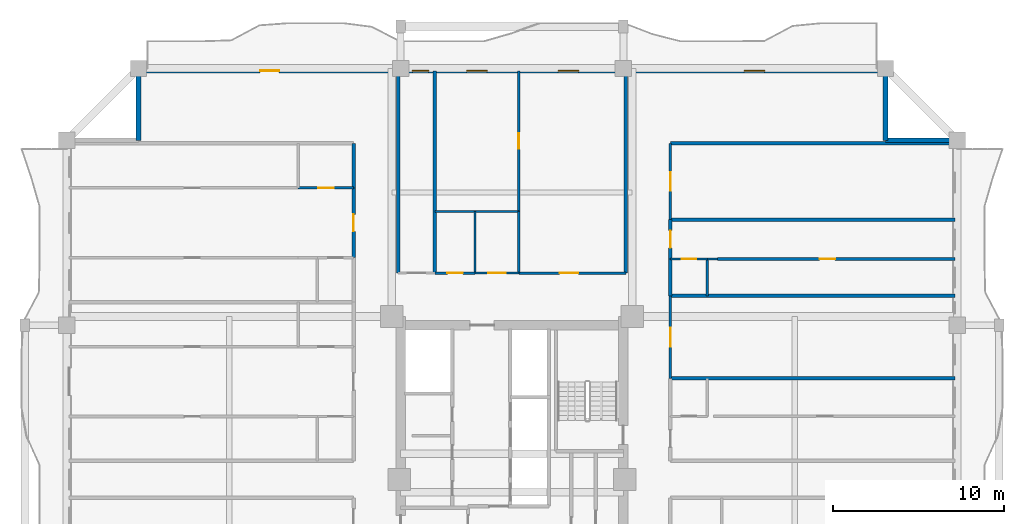
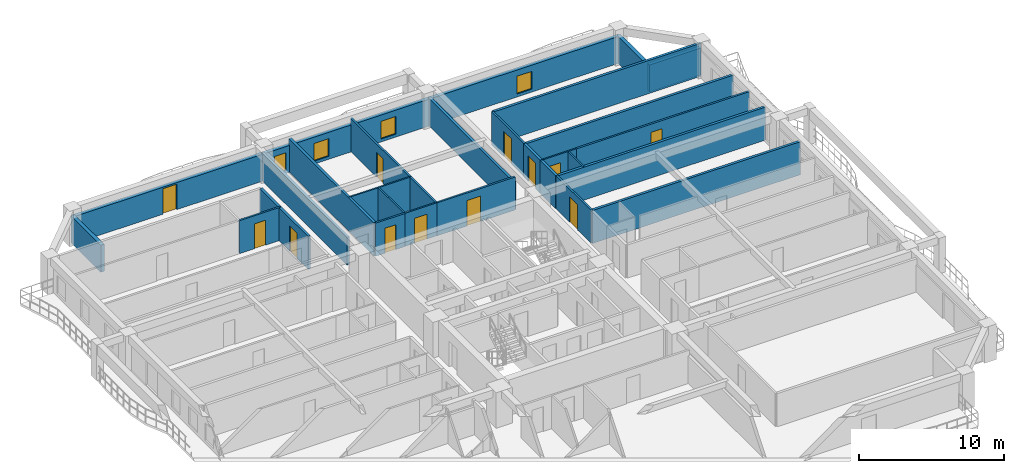
# One storey, part 7 of 13: 29 walls, 12 doors, 4 windows, 16 openings.
"""IFC4 building model written with IfcOpenShell, lengths in metres."""

import ifcopenshell
import ifcopenshell.guid

model = None  # the IFC model being written
_history = None  # IfcOwnerHistory: only IFC2X3 demands one
_inside = {}  # id of a spatial element -> (the spatial element, [elements in it])
_under = {}  # id of a project, library or spatial element -> (it, [spatial elements below it])
_declared = {}  # id of a project -> (the project, [libraries it declares])
_typed = {}  # id of a type object -> (the type object, [elements of that type])
_made_of = {}  # id of a material, layer set ... -> (it, [elements and type objects made of it])


def new_model(schema):
    """Start an empty IFC model of exactly this schema.

    Asked for "IFC4X3", IfcOpenShell would pick the latest addendum, in which some entities
    have other attributes; the version numbers below select the first issue.
    IFC2X3 requires an IfcOwnerHistory on every rooted entity: one is made here for all.
    """
    global model, _history
    if schema == "IFC4X3":
        model = ifcopenshell.file(schema_version=(4, 3, 0, 0))
    else:
        model = ifcopenshell.file(schema=schema)
    _inside.clear()
    _under.clear()
    _declared.clear()
    _typed.clear()
    _made_of.clear()
    _history = None
    if model.schema == "IFC2X3":
        org = make("IfcOrganization", Name="unknown")
        user = make(
            "IfcPersonAndOrganization",
            ThePerson=make("IfcPerson", FamilyName="unknown"),
            TheOrganization=org,
        )
        app = make(
            "IfcApplication",
            ApplicationDeveloper=org,
            Version="unknown",
            ApplicationFullName="unknown",
            ApplicationIdentifier="unknown",
        )
        _history = make(
            "IfcOwnerHistory",
            OwningUser=user,
            OwningApplication=app,
            ChangeAction="ADDED",
            CreationDate=0,
        )
    return model


def make(cls, **values):
    """One entity of the class cls with the attributes given. An attribute that is None is left unset."""
    return model.create_entity(
        cls, **{name: value for name, value in values.items() if value is not None}
    )


def rooted(cls, **values):
    """An entity with a GlobalId (a new one), such as an element, a storey or a relation."""
    return make(cls, GlobalId=ifcopenshell.guid.new(), OwnerHistory=_history, **values)


def si_unit(unit_type, name, prefix=None):
    """IfcSIUnit, for example si_unit("LENGTHUNIT", "METRE", prefix="MILLI")."""
    return make("IfcSIUnit", UnitType=unit_type, Prefix=prefix, Name=name)


def assignment(units):
    """IfcUnitAssignment: the units of a project."""
    return None if units is None else make("IfcUnitAssignment", Units=units)


def point(xyz):
    """IfcCartesianPoint."""
    return None if xyz is None else make("IfcCartesianPoint", Coordinates=xyz)


def direction(xyz):
    """IfcDirection."""
    return None if xyz is None else make("IfcDirection", DirectionRatios=xyz)


def frame(location, z_axis=None, x_axis=None):
    """IfcAxis2Placement3D, a coordinate frame: its origin and axes. An axis left out is left unset."""
    return make(
        "IfcAxis2Placement3D",
        Location=point(location),
        Axis=direction(z_axis),
        RefDirection=direction(x_axis),
    )


def frame_2d(location, x_axis=None):
    """IfcAxis2Placement2D, a coordinate frame in the plane: its origin and x axis."""
    return make(
        "IfcAxis2Placement2D", Location=point(location), RefDirection=direction(x_axis)
    )


def origin():
    """The frame at (0, 0, 0) with its axes left unset."""
    return frame((0.0, 0.0, 0.0))


def place(relative_to, where):
    """IfcLocalPlacement: puts the frame where relative to a parent placement (None: the world)."""
    return make(
        "IfcLocalPlacement", PlacementRelTo=relative_to, RelativePlacement=where
    )


def context(
    kind, dimensions, precision=None, world=None, true_north=None, identifier=None
):
    """IfcGeometricRepresentationContext, for example the 3D "Model" context."""
    return make(
        "IfcGeometricRepresentationContext",
        ContextIdentifier=identifier,
        ContextType=kind,
        CoordinateSpaceDimension=dimensions,
        Precision=precision,
        WorldCoordinateSystem=world,
        TrueNorth=true_north,
    )


def subcontext(parent, identifier, kind, view, scale=None):
    """IfcGeometricRepresentationSubContext, for example "Body" below "Model"."""
    return make(
        "IfcGeometricRepresentationSubContext",
        ContextIdentifier=identifier,
        ContextType=kind,
        ParentContext=parent,
        TargetScale=scale,
        TargetView=view,
    )


def project(units=None, contexts=None):
    """IfcProject with its units and contexts."""
    return rooted(
        "IfcProject",
        Name="project",
        RepresentationContexts=contexts,
        UnitsInContext=assignment(units),
    )


def spatial(cls, under=None, at=None, **own):
    """A site, building, storey or space (cls), placed at a placement, below another one or the project."""
    s = rooted(cls, ObjectPlacement=at, **own)
    if under is not None:
        _under.setdefault(under.id(), (under, []))[1].append(s)
    return s


def profile(cls, at=None, kind="AREA", **sizes):
    """A parametric profile (cls). Its sizes go by their IFC names, for example OverallWidth=200.0."""
    return make(cls, ProfileType=kind, Position=at, **sizes)


def rectangle(**sizes):
    """IfcRectangleProfileDef."""
    return profile("IfcRectangleProfileDef", **sizes)


def extrude(swept, where, along, depth):
    """IfcExtrudedAreaSolid: the profile swept, set in the frame where, extruded along a direction by depth."""
    return make(
        "IfcExtrudedAreaSolid",
        SweptArea=swept,
        Position=where,
        ExtrudedDirection=direction(along),
        Depth=depth,
    )


def shape(context_of_items, identifier, shape_type, items):
    """IfcShapeRepresentation: the items that make up one representation, for example the "Body"."""
    return make(
        "IfcShapeRepresentation",
        ContextOfItems=context_of_items,
        RepresentationIdentifier=identifier,
        RepresentationType=shape_type,
        Items=items,
    )


def source(mapping_origin, context_of_items, identifier, shape_type, items):
    """IfcRepresentationMap: a shape defined once, which mapped items show again and again."""
    return make(
        "IfcRepresentationMap",
        MappingOrigin=mapping_origin,
        MappedRepresentation=shape(context_of_items, identifier, shape_type, items),
    )


def transform(
    local_origin,
    x_axis=None,
    y_axis=None,
    z_axis=None,
    scale=None,
    scale2=None,
    scale3=None,
    uniform=True,
):
    """IfcCartesianTransformationOperator3D, or its non-uniform kind. x_axis, y_axis, z_axis: its Axis1, 2, 3."""
    if uniform:
        return make(
            "IfcCartesianTransformationOperator3D",
            Axis1=direction(x_axis),
            Axis2=direction(y_axis),
            LocalOrigin=point(local_origin),
            Scale=scale,
            Axis3=direction(z_axis),
        )
    return make(
        "IfcCartesianTransformationOperator3DnonUniform",
        Axis1=direction(x_axis),
        Axis2=direction(y_axis),
        LocalOrigin=point(local_origin),
        Scale=scale,
        Axis3=direction(z_axis),
        Scale2=scale2,
        Scale3=scale3,
    )


def mapped(mapping_source, mapping_target):
    """IfcMappedItem: shows the shape of a source again, moved by a transform."""
    return make(
        "IfcMappedItem", MappingSource=mapping_source, MappingTarget=mapping_target
    )


def material(Name=None, Category=None):
    """IfcMaterial."""
    return make("IfcMaterial", Name=Name, Category=Category)


def layer(
    of_material, thickness, ventilated=None, Name=None, Category=None, Priority=None
):
    """IfcMaterialLayer: one layer of a wall or slab, of a material (None: an air gap)."""
    return make(
        "IfcMaterialLayer",
        Material=of_material,
        LayerThickness=thickness,
        IsVentilated=ventilated,
        Name=Name,
        Category=Category,
        Priority=Priority,
    )


def layer_set(layers, Name=None):
    """IfcMaterialLayerSet."""
    return make("IfcMaterialLayerSet", MaterialLayers=layers, LayerSetName=Name)


def made_of(thing, what):
    """Note that an element or type object is made of a material, layer set ...; save() writes the relation."""
    if what is not None:
        _made_of.setdefault(what.id(), (what, []))[1].append(thing)
    return thing


def type_object(cls, material=None, **own):
    """A type object (cls), such as IfcWallType, which elements share."""
    return made_of(rooted(cls, **own), material)


def element(
    cls,
    number,
    at=None,
    inside=None,
    cuts=None,
    type_object=None,
    material=None,
    context=None,
    identifier="Body",
    shape_type=None,
    held_by="IfcProductDefinitionShape",
    body=None,
    shapes=None,
    **own,
):
    """One element of the class cls, such as IfcWall. Its Tag is "e" and its number.

    at: its placement. inside: the storey or other place that contains it. cuts: it is an
    opening in that element (IfcRelVoidsElement). A single representation is given by context,
    identifier, shape_type and body (its items); several are given by shapes. held_by: the class
    of the entity that holds the representations. save() writes the other relations.
    """
    e = rooted(cls, Tag="e%d" % number, ObjectPlacement=at, **own)
    if body is not None:
        shapes = [shape(context, identifier, shape_type, body)]
    if shapes is not None:
        e.Representation = make(held_by, Representations=shapes)
    if inside is not None:
        _inside.setdefault(inside.id(), (inside, []))[1].append(e)
    if cuts is not None:
        rooted(
            "IfcRelVoidsElement", RelatingBuildingElement=cuts, RelatedOpeningElement=e
        )
    if type_object is not None:
        _typed.setdefault(type_object.id(), (type_object, []))[1].append(e)
    return made_of(e, material)


def fill(opening, filler):
    """IfcRelFillsElement: the door or window that sits in an opening."""
    return rooted(
        "IfcRelFillsElement",
        RelatingOpeningElement=opening,
        RelatedBuildingElement=filler,
    )


def aggregate(whole, parts):
    """IfcRelAggregates: a whole, such as a stair, and the parts it consists of."""
    return rooted("IfcRelAggregates", RelatingObject=whole, RelatedObjects=parts)


def save(model, path):
    """Write the relations noted so far, then the file.

    IfcRelAggregates (storeys below a building ...), IfcRelContainedInSpatialStructure (elements
    in a storey), IfcRelDefinesByType, IfcRelAssociatesMaterial and IfcRelDeclares: one each for
    every whole, place, type object, material and project.
    """
    for whole, parts in _under.values():
        aggregate(whole, parts)
    for where, things in _inside.values():
        rooted(
            "IfcRelContainedInSpatialStructure",
            RelatedElements=things,
            RelatingStructure=where,
        )
    for kind, things in _typed.values():
        rooted("IfcRelDefinesByType", RelatedObjects=things, RelatingType=kind)
    for what, things in _made_of.values():
        rooted("IfcRelAssociatesMaterial", RelatedObjects=things, RelatingMaterial=what)
    for by, libraries in _declared.values():
        rooted("IfcRelDeclares", RelatingContext=by, RelatedDefinitions=libraries)
    model.write(path)


model = new_model("IFC4")

# Units and contexts
model_context = context("Model", 3, precision=1e-05, world=origin(), true_north=direction((0.0, 1.0)))
body_context = subcontext(model_context, "Body", "Model", "MODEL_VIEW")
ifc_project = project(units=[si_unit("LENGTHUNIT", "METRE"), si_unit("AREAUNIT", "SQUARE_METRE"), si_unit("VOLUMEUNIT", "CUBIC_METRE"), si_unit("PLANEANGLEUNIT", "RADIAN"), si_unit("MASSUNIT", "GRAM", prefix="KILO")], contexts=[model_context])

# Site, building, storey
site_placement = place(None, origin())
site = spatial("IfcSite", under=ifc_project, at=site_placement, CompositionType="ELEMENT")
building_placement = place(site_placement, origin())
building = spatial("IfcBuilding", under=site, at=building_placement, Name="Saelheon Loggia Tower", CompositionType="ELEMENT")
storey_placement = place(building_placement, frame((0.0, 0.0, 129.75)))
storey = spatial("IfcBuildingStorey", under=building, at=storey_placement, Name="L41", CompositionType="ELEMENT", Elevation=129.75)

# Wall, openings, windows, door
ifc_material_1 = material(Name="Architectural Precast Concrete C40/50", Category="concrete")
ifc_layer_1 = layer(ifc_material_1, 0.280029296875)
ifc_layer_set_1 = layer_set([ifc_layer_1], Name="Architectural Precast Concrete C40/50")
wall_type_1 = type_object("IfcWallType", Name="Wall_Ext_Loggia_280", PredefinedType="SOLIDWALL", material=ifc_layer_set_1)
wall_1_placement = place(storey_placement, frame((16.199951171875, 50.860107421875, 0.0), z_axis=(0.0, 0.0, 1.0), x_axis=(1.0, 0.0, 0.0)))
wall_1 = element("IfcWall", 1, at=wall_1_placement, inside=storey, type_object=wall_type_1, Name="L41 North Loggia Inner Wall", PredefinedType="SOLIDWALL", context=body_context, shape_type="SweptSolid", body=[
    extrude(rectangle(XDim=43.60009765625, YDim=0.280029296875, at=frame_2d((21.800048828125, 0.0))), origin(), (0.0, 0.0, 1.0), 2.280029296875),
])
opening_1_placement = place(wall_1_placement, frame((7.10009765625, 0.0, 0.0)))
opening_1 = element("IfcOpeningElement", 2, at=opening_1_placement, cuts=wall_1, Name="Opening TD1", PredefinedType="OPENING", context=body_context, shape_type="SweptSolid", body=[
    extrude(rectangle(XDim=1.10009765625, YDim=2.14990234375, at=frame_2d((0.550048828125, 1.074951171875))), frame((0.0, 0.152099609375, 0.0), z_axis=(0.0, -1.0, 0.0), x_axis=(1.0, 0.0, 0.0)), (0.0, 0.0, 1.0), 0.303955078125),
])
opening_2_placement = place(wall_1_placement, frame((15.982421875, 0.0, 0.25)))
opening_2 = element("IfcOpeningElement", 3, at=opening_2_placement, cuts=wall_1, Name="Opening WN-04", PredefinedType="OPENING", context=body_context, shape_type="SweptSolid", body=[
    extrude(rectangle(XDim=0.949951171875, YDim=1.5, at=frame_2d((0.47509765625, 0.75))), frame((0.0, 0.152099609375, 0.0), z_axis=(0.0, -1.0, 0.0), x_axis=(1.0, 0.0, 0.0)), (0.0, 0.0, 1.0), 0.303955078125),
])
opening_3_placement = place(wall_1_placement, frame((19.14990234375, 0.0, 0.25)))
opening_3 = element("IfcOpeningElement", 4, at=opening_3_placement, cuts=wall_1, Name="Opening WN-03", PredefinedType="OPENING", context=body_context, shape_type="SweptSolid", body=[
    extrude(rectangle(XDim=1.199951171875, YDim=1.5, at=frame_2d((0.60009765625, 0.75))), frame((0.0, 0.152099609375, 0.0), z_axis=(0.0, -1.0, 0.0), x_axis=(1.0, 0.0, 0.0)), (0.0, 0.0, 1.0), 0.303955078125),
])
opening_4_placement = place(wall_1_placement, frame((24.492431640625, 0.0, 0.25)))
opening_4 = element("IfcOpeningElement", 5, at=opening_4_placement, cuts=wall_1, Name="Opening WN-03", PredefinedType="OPENING", context=body_context, shape_type="SweptSolid", body=[
    extrude(rectangle(XDim=1.199951171875, YDim=1.5, at=frame_2d((0.60009765625, 0.75))), frame((0.0, 0.152099609375, 0.0), z_axis=(0.0, -1.0, 0.0), x_axis=(1.0, 0.0, 0.0)), (0.0, 0.0, 1.0), 0.303955078125),
])
opening_5_placement = place(wall_1_placement, frame((35.35009765625, 0.0, 0.25)))
opening_5 = element("IfcOpeningElement", 6, at=opening_5_placement, cuts=wall_1, Name="Opening WN-03", PredefinedType="OPENING", context=body_context, shape_type="SweptSolid", body=[
    extrude(rectangle(XDim=1.199951171875, YDim=1.5, at=frame_2d((0.60009765625, 0.75))), frame((0.0, 0.152099609375, 0.0), z_axis=(0.0, -1.0, 0.0), x_axis=(1.0, 0.0, 0.0)), (0.0, 0.0, 1.0), 0.303955078125),
])
ifc_material_2 = material(Name="Thermal-Break Aluminium and Triple Low-E Glass", Category="aluminium")
window_type_1 = type_object("IfcWindowType", Name="Win_Bedroom_1200x1500", PartitioningType="SINGLE_PANEL", PredefinedType="WINDOW", material=ifc_material_2)
shared_shape_1 = source(origin(), body_context, "Body", "SweptSolid", [
    extrude(rectangle(XDim=1.199951171875, YDim=1.5, at=frame_2d((0.60009765625, 0.75))), frame((0.0, 0.030029296875, 0.0), z_axis=(0.0, -1.0, 0.0), x_axis=(1.0, 0.0, 0.0)), (0.0, 0.0, 1.0), 0.06005859375),
])
window_1_placement = place(opening_3_placement, origin())
window_1 = element("IfcWindow", 7, at=window_1_placement, inside=storey, type_object=window_type_1, Name="L41 N Dwelling Window 3", OverallHeight=1.5, OverallWidth=1.199951171875, PartitioningType="SINGLE_PANEL", PredefinedType="WINDOW", context=body_context, shape_type="MappedRepresentation", body=[
    mapped(shared_shape_1, transform((0.0, 0.0, 0.0), scale=1.0)),
])
fill(opening_3, window_1)
window_2_placement = place(opening_4_placement, origin())
window_2 = element("IfcWindow", 8, at=window_2_placement, inside=storey, type_object=window_type_1, Name="L41 N Dwelling Window 4", OverallHeight=1.5, OverallWidth=1.199951171875, PartitioningType="SINGLE_PANEL", PredefinedType="WINDOW", context=body_context, shape_type="MappedRepresentation", body=[
    mapped(shared_shape_1, transform((0.0, 0.0, 0.0), scale=1.0)),
])
fill(opening_4, window_2)
window_3_placement = place(opening_5_placement, origin())
window_3 = element("IfcWindow", 9, at=window_3_placement, inside=storey, type_object=window_type_1, Name="L41 N Dwelling Window 5", OverallHeight=1.5, OverallWidth=1.199951171875, PartitioningType="SINGLE_PANEL", PredefinedType="WINDOW", context=body_context, shape_type="MappedRepresentation", body=[
    mapped(shared_shape_1, transform((0.0, 0.0, 0.0), scale=1.0)),
])
fill(opening_5, window_3)
ifc_material_3 = material(Name="Thermal-Break Aluminium Glazed Door", Category="aluminium")
door_type_1 = type_object("IfcDoorType", Name="Door_Terrace_TD1", OperationType="NOTDEFINED", PredefinedType="DOOR", material=ifc_material_3)
shared_shape_2 = source(origin(), body_context, "Body", "SweptSolid", [
    extrude(rectangle(XDim=1.10009765625, YDim=2.14990234375, at=frame_2d((0.550048828125, 1.074951171875))), frame((0.0, 0.02490234375, 0.0), z_axis=(0.0, -1.0, 0.0), x_axis=(1.0, 0.0, 0.0)), (0.0, 0.0, 1.0), 0.050048828125),
])
door_1_placement = place(opening_1_placement, origin())
door_1 = element("IfcDoor", 10, at=door_1_placement, inside=storey, type_object=door_type_1, Name="L41 N Loggia Access Door", OperationType="SINGLE_SWING_LEFT", OverallHeight=2.14990234375, OverallWidth=1.10009765625, PredefinedType="DOOR", context=body_context, shape_type="MappedRepresentation", body=[
    mapped(shared_shape_2, transform((0.0, 0.0, 0.0), scale=1.0)),
])
fill(opening_1, door_1)
window_type_2 = type_object("IfcWindowType", Name="Win_Narrow_950x1500", PartitioningType="SINGLE_PANEL", PredefinedType="WINDOW", material=ifc_material_2)
shared_shape_3 = source(origin(), body_context, "Body", "SweptSolid", [
    extrude(rectangle(XDim=0.949951171875, YDim=1.5, at=frame_2d((0.47509765625, 0.75))), frame((0.0, 0.030029296875, 0.0), z_axis=(0.0, -1.0, 0.0), x_axis=(1.0, 0.0, 0.0)), (0.0, 0.0, 1.0), 0.06005859375),
])
window_4_placement = place(opening_2_placement, origin())
window_4 = element("IfcWindow", 11, at=window_4_placement, inside=storey, type_object=window_type_2, Name="L41 N Dwelling Window 2", OverallHeight=1.5, OverallWidth=0.949951171875, PartitioningType="SINGLE_PANEL", PredefinedType="WINDOW", context=body_context, shape_type="MappedRepresentation", body=[
    mapped(shared_shape_3, transform((0.0, 0.0, 0.0), scale=1.0)),
])
fill(opening_2, window_4)

# Walls
for number, where, z_axis, x_axis, name in (
    (12, (16.199951171875, 46.800048828125, 0.0), (0.0, 0.0, 1.0), (0.0, 1.0, 0.0), "L41 Corner Notch Precast Wall NW1"),
    (13, (59.800048828125, 46.800048828125, 0.0), (0.0, 0.0, 1.0), (0.0, 1.0, 0.0), "L41 Corner Notch Precast Wall NE1"),
    (14, (59.800048828125, 46.800048828125, 0.0), (0.0, 0.0, 1.0), (1.0, 0.0, 0.0), "L41 Corner Notch Precast Wall NE2"),
):
    element("IfcWall", number, at=place(storey_placement, frame(where, z_axis=z_axis, x_axis=x_axis)), inside=storey, type_object=wall_type_1, Name=name, PredefinedType="SOLIDWALL", context=body_context, shape_type="SweptSolid", body=[
        extrude(rectangle(XDim=4.119873046875, YDim=0.280029296875, at=frame_2d((2.06005859375, 0.0))), origin(), (0.0, 0.0, 1.0), 2.280029296875),
    ])
ifc_material_4 = material(Name="Lightweight Autoclaved Aerated Concrete Block and Acoustic Gypsum", Category="concrete")
ifc_layer_2 = layer(ifc_material_4, 0.14990234375)
ifc_layer_set_2 = layer_set([ifc_layer_2], Name="Lightweight Autoclaved Aerated Concrete Block and Acoustic Gypsum")
wall_type_2 = type_object("IfcWallType", Name="Wall_Part_150", PredefinedType="PARTITIONING", material=ifc_layer_set_2)
wall_2_placement = place(storey_placement, frame((38.39990234375, 39.050048828125, 0.0), z_axis=(0.0, 0.0, 1.0), x_axis=(0.0, 1.0, 0.0)))
element("IfcWall", 15, at=wall_2_placement, inside=storey, type_object=wall_type_2, Name="L41 N Partition U06", PredefinedType="PARTITIONING", context=body_context, shape_type="SweptSolid", body=[
    extrude(rectangle(XDim=3.599853515625, YDim=0.14990234375, at=frame_2d((1.7998046875, 0.0))), origin(), (0.0, 0.0, 1.0), 2.7900390625),
])

# Wall, opening, door
wall_3_placement = place(storey_placement, frame((38.39990234375, 42.64990234375, 0.0), z_axis=(0.0, 0.0, 1.0), x_axis=(0.0, 1.0, 0.0)))
wall_3 = element("IfcWall", 16, at=wall_3_placement, inside=storey, type_object=wall_type_2, Name="L41 N Partition U07", PredefinedType="PARTITIONING", context=body_context, shape_type="SweptSolid", body=[
    extrude(rectangle(XDim=8.2001953125, YDim=0.14990234375, at=frame_2d((4.10009765625, 0.0))), origin(), (0.0, 0.0, 1.0), 2.7900390625),
])
opening_6_placement = place(wall_3_placement, frame((3.64990234375, 0.0, 0.0)))
opening_6 = element("IfcOpeningElement", 17, at=opening_6_placement, cuts=wall_3, Name="Opening D-IN2", PredefinedType="OPENING", context=body_context, shape_type="SweptSolid", body=[
    extrude(rectangle(XDim=0.89990234375, YDim=2.10009765625, at=frame_2d((0.449951171875, 1.050048828125))), frame((0.0, 0.0869140625, 0.0), z_axis=(0.0, -1.0, 0.0), x_axis=(1.0, 0.0, 0.0)), (0.0, 0.0, 1.0), 0.173828125),
])
ifc_material_5 = material(Name="Engineered Oak Flush Door", Category="timber")
door_type_2 = type_object("IfcDoorType", Name="Door_Int_900", OperationType="NOTDEFINED", PredefinedType="DOOR", material=ifc_material_5)
shared_shape_4 = source(origin(), body_context, "Body", "SweptSolid", [
    extrude(rectangle(XDim=0.89990234375, YDim=2.10009765625, at=frame_2d((0.449951171875, 1.050048828125))), frame((0.0, 0.02490234375, 0.0), z_axis=(0.0, -1.0, 0.0), x_axis=(1.0, 0.0, 0.0)), (0.0, 0.0, 1.0), 0.050048828125),
])
door_2_placement = place(opening_6_placement, origin())
door_2 = element("IfcDoor", 18, at=door_2_placement, inside=storey, type_object=door_type_2, Name="L41 Reading Alcove Door", OperationType="SINGLE_SWING_RIGHT", OverallHeight=2.10009765625, OverallWidth=0.89990234375, PredefinedType="DOOR", context=body_context, shape_type="MappedRepresentation", body=[
    mapped(shared_shape_4, transform((0.0, 0.0, 0.0), scale=1.0)),
])
fill(opening_6, door_2)

wall_4_placement = place(storey_placement, frame((33.5, 39.050048828125, 0.0), z_axis=(0.0, 0.0, 1.0), x_axis=(1.0, 0.0, 0.0)))
wall_4 = element("IfcWall", 19, at=wall_4_placement, inside=storey, type_object=wall_type_2, Name="L41 N Partition V09", PredefinedType="PARTITIONING", context=body_context, shape_type="SweptSolid", body=[
    extrude(rectangle(XDim=2.35009765625, YDim=0.14990234375, at=frame_2d((1.175048828125, 0.0))), origin(), (0.0, 0.0, 1.0), 2.7900390625),
])
opening_7_placement = place(wall_4_placement, frame((0.72509765625, 0.0, 0.0)))
opening_7 = element("IfcOpeningElement", 20, at=opening_7_placement, cuts=wall_4, Name="Opening D-IN2", PredefinedType="OPENING", context=body_context, shape_type="SweptSolid", body=[
    extrude(rectangle(XDim=0.89990234375, YDim=2.10009765625, at=frame_2d((0.449951171875, 1.050048828125))), frame((0.0, 0.0869140625, 0.0), z_axis=(0.0, -1.0, 0.0), x_axis=(1.0, 0.0, 0.0)), (0.0, 0.0, 1.0), 0.173828125),
])
door_3_placement = place(opening_7_placement, origin())
door_3 = element("IfcDoor", 21, at=door_3_placement, inside=storey, type_object=door_type_2, Name="L41 Community Pantry Door", OperationType="SINGLE_SWING_LEFT", OverallHeight=2.10009765625, OverallWidth=0.89990234375, PredefinedType="DOOR", context=body_context, shape_type="MappedRepresentation", body=[
    mapped(shared_shape_4, transform((0.0, 0.0, 0.0), scale=1.0)),
])
fill(opening_7, door_3)

wall_5_placement = place(storey_placement, frame((38.39990234375, 39.050048828125, 0.0), z_axis=(0.0, 0.0, 1.0), x_axis=(1.0, 0.0, 0.0)))
wall_5 = element("IfcWall", 22, at=wall_5_placement, inside=storey, type_object=wall_type_2, Name="L41 N Partition V11", PredefinedType="PARTITIONING", context=body_context, shape_type="SweptSolid", body=[
    extrude(rectangle(XDim=6.25, YDim=0.14990234375, at=frame_2d((3.125, 0.0))), origin(), (0.0, 0.0, 1.0), 2.7900390625),
])
opening_8_placement = place(wall_5_placement, frame((2.382080078125, 0.0, 0.0)))
opening_8 = element("IfcOpeningElement", 23, at=opening_8_placement, cuts=wall_5, Name="Opening D-FD2", PredefinedType="OPENING", context=body_context, shape_type="SweptSolid", body=[
    extrude(rectangle(XDim=1.10009765625, YDim=2.14990234375, at=frame_2d((0.550048828125, 1.074951171875))), frame((0.0, 0.0869140625, 0.0), z_axis=(0.0, -1.0, 0.0), x_axis=(1.0, 0.0, 0.0)), (0.0, 0.0, 1.0), 0.173828125),
])
ifc_material_6 = material(Name="Galvanised Steel Fire Door", Category="steel")
door_type_3 = type_object("IfcDoorType", Name="Door_Fire_FD60_1100", OperationType="NOTDEFINED", PredefinedType="DOOR", material=ifc_material_6)
door_4_placement = place(opening_8_placement, origin())
door_4 = element("IfcDoor", 24, at=door_4_placement, inside=storey, type_object=door_type_3, Name="L41 Community Reading Library Door A", OperationType="SINGLE_SWING_LEFT", OverallHeight=2.14990234375, OverallWidth=1.10009765625, PredefinedType="DOOR", context=body_context, shape_type="MappedRepresentation", body=[
    mapped(shared_shape_2, transform((0.0, 0.0, 0.0), scale=1.0)),
])
fill(opening_8, door_4)

wall_6_placement = place(storey_placement, frame((28.75, 44.02001953125, 0.0), z_axis=(0.0, 0.0, 1.0), x_axis=(-1.0, 0.0, 0.0)))
wall_6 = element("IfcWall", 25, at=wall_6_placement, inside=storey, type_object=wall_type_2, Name="L41 WN Partition U22", PredefinedType="PARTITIONING", context=body_context, shape_type="SweptSolid", body=[
    extrude(rectangle(XDim=3.239990234375, YDim=0.14990234375, at=frame_2d((1.6201171875, 0.0))), origin(), (0.0, 0.0, 1.0), 2.7900390625),
])
opening_9_placement = place(wall_6_placement, frame((1.169921875, 0.0, 0.0)))
opening_9 = element("IfcOpeningElement", 26, at=opening_9_placement, cuts=wall_6, Name="Opening D-IN2", PredefinedType="OPENING", context=body_context, shape_type="SweptSolid", body=[
    extrude(rectangle(XDim=0.89990234375, YDim=2.10009765625, at=frame_2d((0.449951171875, 1.050048828125))), frame((0.0, 0.0869140625, 0.0), z_axis=(0.0, -1.0, 0.0), x_axis=(1.0, 0.0, 0.0)), (0.0, 0.0, 1.0), 0.173828125),
])
door_5_placement = place(opening_9_placement, origin())
door_5 = element("IfcDoor", 27, at=door_5_placement, inside=storey, type_object=door_type_2, Name="Unit U06 Dressing Closet Door", OperationType="SINGLE_SWING_RIGHT", OverallHeight=2.10009765625, OverallWidth=0.89990234375, PredefinedType="DOOR", context=body_context, shape_type="MappedRepresentation", body=[
    mapped(shared_shape_4, transform((0.0, 0.0, 0.0), scale=1.0)),
])
fill(opening_9, door_5)

wall_7_placement = place(storey_placement, frame((47.25, 32.900390625, 0.0), z_axis=(0.0, 0.0, 1.0), x_axis=(0.0, 1.0, 0.0)))
wall_7 = element("IfcWall", 28, at=wall_7_placement, inside=storey, type_object=wall_type_2, Name="L41 EN Partition V09", PredefinedType="PARTITIONING", context=body_context, shape_type="SweptSolid", body=[
    extrude(rectangle(XDim=4.8203125, YDim=0.14990234375, at=frame_2d((2.41015625, 0.0))), origin(), (0.0, 0.0, 1.0), 2.7900390625),
])
opening_10_placement = place(wall_7_placement, frame((1.860107421875, 0.0, 0.0)))
opening_10 = element("IfcOpeningElement", 29, at=opening_10_placement, cuts=wall_7, Name="Opening D-FD2", PredefinedType="OPENING", context=body_context, shape_type="SweptSolid", body=[
    extrude(rectangle(XDim=1.10009765625, YDim=2.14990234375, at=frame_2d((0.550048828125, 1.074951171875))), frame((0.0, 0.0869140625, 0.0), z_axis=(0.0, -1.0, 0.0), x_axis=(1.0, 0.0, 0.0)), (0.0, 0.0, 1.0), 0.173828125),
])
door_6_placement = place(opening_10_placement, origin())
door_6 = element("IfcDoor", 30, at=door_6_placement, inside=storey, type_object=door_type_3, Name="L41 Resident Seminar and Study Hall Door A", OperationType="SINGLE_SWING_LEFT", OverallHeight=2.14990234375, OverallWidth=1.10009765625, PredefinedType="DOOR", context=body_context, shape_type="MappedRepresentation", body=[
    mapped(shared_shape_2, transform((0.0, 0.0, 0.0), scale=1.0)),
])
fill(opening_10, door_6)

wall_8_placement = place(storey_placement, frame((50.010009765625, 39.870849609375, 0.0), z_axis=(0.0, 0.0, 1.0), x_axis=(1.0, 0.0, 0.0)))
wall_8 = element("IfcWall", 31, at=wall_8_placement, inside=storey, type_object=wall_type_2, Name="L41 EN Partition U16", PredefinedType="PARTITIONING", context=body_context, shape_type="SweptSolid", body=[
    extrude(rectangle(XDim=13.840087890625, YDim=0.14990234375, at=frame_2d((6.919921875, 0.0))), origin(), (0.0, 0.0, 1.0), 2.7900390625),
])
opening_11_placement = place(wall_8_placement, frame((5.95068359375, 0.0, 0.0)))
opening_11 = element("IfcOpeningElement", 32, at=opening_11_placement, cuts=wall_8, Name="Opening D-IN2", PredefinedType="OPENING", context=body_context, shape_type="SweptSolid", body=[
    extrude(rectangle(XDim=0.89990234375, YDim=2.10009765625, at=frame_2d((0.449951171875, 1.050048828125))), frame((0.0, 0.0869140625, 0.0), z_axis=(0.0, -1.0, 0.0), x_axis=(1.0, 0.0, 0.0)), (0.0, 0.0, 1.0), 0.173828125),
])
door_7_placement = place(opening_11_placement, origin())
door_7 = element("IfcDoor", 33, at=door_7_placement, inside=storey, type_object=door_type_2, Name="Unit U09 Kitchen Door", OperationType="SINGLE_SWING_RIGHT", OverallHeight=2.10009765625, OverallWidth=0.89990234375, PredefinedType="DOOR", context=body_context, shape_type="MappedRepresentation", body=[
    mapped(shared_shape_4, transform((0.0, 0.0, 0.0), scale=1.0)),
])
fill(opening_11, door_7)

wall_9_placement = place(storey_placement, frame((47.25, 42.17041015625, 0.0), z_axis=(0.0, 0.0, 1.0), x_axis=(0.0, 1.0, 0.0)))
wall_9 = element("IfcWall", 34, at=wall_9_placement, inside=storey, type_object=wall_type_2, Name="L41 EN Partition V18", PredefinedType="PARTITIONING", context=body_context, shape_type="SweptSolid", body=[
    extrude(rectangle(XDim=4.44970703125, YDim=0.14990234375, at=frame_2d((2.224853515625, 0.0))), origin(), (0.0, 0.0, 1.0), 2.7900390625),
])
opening_12_placement = place(wall_9_placement, frame((1.6748046875, 0.0, 0.0)))
opening_12 = element("IfcOpeningElement", 35, at=opening_12_placement, cuts=wall_9, Name="Opening D-FD2", PredefinedType="OPENING", context=body_context, shape_type="SweptSolid", body=[
    extrude(rectangle(XDim=1.10009765625, YDim=2.14990234375, at=frame_2d((0.550048828125, 1.074951171875))), frame((0.0, 0.0869140625, 0.0), z_axis=(0.0, -1.0, 0.0), x_axis=(1.0, 0.0, 0.0)), (0.0, 0.0, 1.0), 0.173828125),
])
door_8_placement = place(opening_12_placement, origin())
door_8 = element("IfcDoor", 36, at=door_8_placement, inside=storey, type_object=door_type_3, Name="L41 Resident Seminar and Study Hall Door A", OperationType="SINGLE_SWING_LEFT", OverallHeight=2.14990234375, OverallWidth=1.10009765625, PredefinedType="DOOR", context=body_context, shape_type="MappedRepresentation", body=[
    mapped(shared_shape_2, transform((0.0, 0.0, 0.0), scale=1.0)),
])
fill(opening_12, door_8)

# Walls
ifc_material_7 = material(Name="Double Acoustic Stud and Fireboard Partition", Category="gypsum")
ifc_layer_3 = layer(ifc_material_7, 0.199951171875)
ifc_layer_set_3 = layer_set([ifc_layer_3], Name="Double Acoustic Stud and Fireboard Partition")
wall_type_3 = type_object("IfcWallType", Name="Wall_Party_200", PredefinedType="PARTITIONING", material=ifc_layer_set_3)
for number, where, z_axis, x_axis, name in (
    (37, (31.35009765625, 39.050048828125, 0.0), (0.0, 0.0, 1.0), (0.0, 1.0, 0.0), "L41 N Partition U01"),
    (38, (44.64990234375, 39.050048828125, 0.0), (0.0, 0.0, 1.0), (0.0, 1.0, 0.0), "L41 N Partition U02"),
):
    element("IfcWall", number, at=place(storey_placement, frame(where, z_axis=z_axis, x_axis=x_axis)), inside=storey, type_object=wall_type_3, Name=name, PredefinedType="PARTITIONING", context=body_context, shape_type="SweptSolid", body=[
        extrude(rectangle(XDim=11.800048828125, YDim=0.199951171875, at=frame_2d((5.89990234375, 0.0))), origin(), (0.0, 0.0, 1.0), 2.340087890625),
    ])
wall_10_placement = place(storey_placement, frame((33.5, 39.050048828125, 0.0), z_axis=(0.0, 0.0, 1.0), x_axis=(0.0, 1.0, 0.0)))
element("IfcWall", 39, at=wall_10_placement, inside=storey, type_object=wall_type_3, Name="L41 N Partition U03", PredefinedType="PARTITIONING", context=body_context, shape_type="SweptSolid", body=[
    extrude(rectangle(XDim=11.800048828125, YDim=0.199951171875, at=frame_2d((5.89990234375, 0.0))), origin(), (0.0, 0.0, 1.0), 2.7900390625),
])

# Wall, opening, door
wall_11_placement = place(storey_placement, frame((28.75, 39.945556640625, 0.0), z_axis=(0.0, 0.0, 1.0), x_axis=(0.0, 1.0, 0.0)))
wall_11 = element("IfcWall", 40, at=wall_11_placement, inside=storey, type_object=wall_type_3, Name="L41 WN Partition V15", PredefinedType="PARTITIONING", context=body_context, shape_type="SweptSolid", body=[
    extrude(rectangle(XDim=4.074462890625, YDim=0.199951171875, at=frame_2d((2.037109375, 0.0))), origin(), (0.0, 0.0, 1.0), 2.7900390625),
])
opening_13_placement = place(wall_11_placement, frame((1.537109375, 0.0, 0.0)))
opening_13 = element("IfcOpeningElement", 41, at=opening_13_placement, cuts=wall_11, Name="Opening D-FD1", PredefinedType="OPENING", context=body_context, shape_type="SweptSolid", body=[
    extrude(rectangle(XDim=1.0, YDim=2.14990234375, at=frame_2d((0.5, 1.074951171875))), frame((0.0, 0.112060546875, 0.0), z_axis=(0.0, -1.0, 0.0), x_axis=(1.0, 0.0, 0.0)), (0.0, 0.0, 1.0), 0.223876953125),
])
ifc_material_8 = material(Name="Fire-Rated Engineered Timber Entrance Door", Category="wood")
door_type_4 = type_object("IfcDoorType", Name="Door_Flat_FD30S", OperationType="NOTDEFINED", PredefinedType="DOOR", material=ifc_material_8)
shared_shape_5 = source(origin(), body_context, "Body", "SweptSolid", [
    extrude(rectangle(XDim=1.0, YDim=2.14990234375, at=frame_2d((0.5, 1.074951171875))), frame((0.0, 0.02490234375, 0.0), z_axis=(0.0, -1.0, 0.0), x_axis=(1.0, 0.0, 0.0)), (0.0, 0.0, 1.0), 0.050048828125),
])
door_9_placement = place(opening_13_placement, origin())
door_9 = element("IfcDoor", 42, at=door_9_placement, inside=storey, type_object=door_type_4, Name="Unit U06 Entrance Door", OperationType="SINGLE_SWING_LEFT", OverallHeight=2.14990234375, OverallWidth=1.0, PredefinedType="DOOR", context=body_context, shape_type="MappedRepresentation", body=[
    mapped(shared_shape_5, transform((0.0, 0.0, 0.0), scale=1.0)),
])
fill(opening_13, door_9)

# Walls
wall_12_placement = place(storey_placement, frame((28.75, 44.02001953125, 0.0), z_axis=(0.0, 0.0, 1.0), x_axis=(0.0, 1.0, 0.0)))
element("IfcWall", 43, at=wall_12_placement, inside=storey, type_object=wall_type_3, Name="L41 WN Partition V16", PredefinedType="PARTITIONING", context=body_context, shape_type="SweptSolid", body=[
    extrude(rectangle(XDim=2.60009765625, YDim=0.199951171875, at=frame_2d((1.300048828125, 0.0))), origin(), (0.0, 0.0, 1.0), 2.7900390625),
])
for number, where, z_axis, x_axis, name in (
    (44, (47.25, 46.6201171875, 0.0), (0.0, 0.0, 1.0), (1.0, 0.0, 0.0), "L41 EN Partition U02"),
    (45, (47.25, 32.900390625, 0.0), (0.0, 0.0, 1.0), (1.0, 0.0, 0.0), "L41 EN Partition U08"),
    (46, (47.25, 37.720703125, 0.0), (0.0, 0.0, 1.0), (1.0, 0.0, 0.0), "L41 EN Partition U10"),
):
    element("IfcWall", number, at=place(storey_placement, frame(where, z_axis=z_axis, x_axis=x_axis)), inside=storey, type_object=wall_type_3, Name=name, PredefinedType="PARTITIONING", context=body_context, shape_type="SweptSolid", body=[
        extrude(rectangle(XDim=16.60009765625, YDim=0.199951171875, at=frame_2d((8.300048828125, 0.0))), origin(), (0.0, 0.0, 1.0), 2.7900390625),
    ])
wall_13_placement = place(storey_placement, frame((47.25, 37.720703125, 0.0), z_axis=(0.0, 0.0, 1.0), x_axis=(0.0, 1.0, 0.0)))
element("IfcWall", 47, at=wall_13_placement, inside=storey, type_object=wall_type_3, Name="L41 EN Partition V11", PredefinedType="PARTITIONING", context=body_context, shape_type="SweptSolid", body=[
    extrude(rectangle(XDim=2.150146484375, YDim=0.199951171875, at=frame_2d((1.0751953125, 0.0))), origin(), (0.0, 0.0, 1.0), 2.7900390625),
])

# Wall, opening, door
wall_14_placement = place(storey_placement, frame((47.25, 39.870849609375, 0.0), z_axis=(0.0, 0.0, 1.0), x_axis=(0.0, 1.0, 0.0)))
wall_14 = element("IfcWall", 48, at=wall_14_placement, inside=storey, type_object=wall_type_3, Name="L41 EN Partition V12", PredefinedType="PARTITIONING", context=body_context, shape_type="SweptSolid", body=[
    extrude(rectangle(XDim=2.299560546875, YDim=0.199951171875, at=frame_2d((1.14990234375, 0.0))), origin(), (0.0, 0.0, 1.0), 2.7900390625),
])
opening_14_placement = place(wall_14_placement, frame((0.64990234375, 0.0, 0.0)))
opening_14 = element("IfcOpeningElement", 49, at=opening_14_placement, cuts=wall_14, Name="Opening D-FD1", PredefinedType="OPENING", context=body_context, shape_type="SweptSolid", body=[
    extrude(rectangle(XDim=1.0, YDim=2.14990234375, at=frame_2d((0.5, 1.074951171875))), frame((0.0, 0.112060546875, 0.0), z_axis=(0.0, -1.0, 0.0), x_axis=(1.0, 0.0, 0.0)), (0.0, 0.0, 1.0), 0.223876953125),
])
door_10_placement = place(opening_14_placement, origin())
door_10 = element("IfcDoor", 50, at=door_10_placement, inside=storey, type_object=door_type_4, Name="Unit U09 Entrance Door", OperationType="SINGLE_SWING_RIGHT", OverallHeight=2.14990234375, OverallWidth=1.0, PredefinedType="DOOR", context=body_context, shape_type="MappedRepresentation", body=[
    mapped(shared_shape_5, transform((0.0, 0.0, 0.0), scale=1.0)),
])
fill(opening_14, door_10)

# Walls
wall_15_placement = place(storey_placement, frame((47.25, 42.17041015625, 0.0), z_axis=(0.0, 0.0, 1.0), x_axis=(1.0, 0.0, 0.0)))
element("IfcWall", 51, at=wall_15_placement, inside=storey, type_object=wall_type_3, Name="L41 EN Partition U17", PredefinedType="PARTITIONING", context=body_context, shape_type="SweptSolid", body=[
    extrude(rectangle(XDim=16.60009765625, YDim=0.199951171875, at=frame_2d((8.300048828125, 0.0))), origin(), (0.0, 0.0, 1.0), 2.7900390625),
])
ifc_material_9 = material(Name="Moisture-Resistant Cement Board Partition", Category="gypsum")
ifc_layer_4 = layer(ifc_material_9, 0.1201171875)
ifc_layer_set_4 = layer_set([ifc_layer_4], Name="Moisture-Resistant Cement Board Partition")
wall_type_4 = type_object("IfcWallType", Name="Wall_WetPart_120", PredefinedType="PARTITIONING", material=ifc_layer_set_4)
wall_16_placement = place(storey_placement, frame((35.85009765625, 39.050048828125, 0.0), z_axis=(0.0, 0.0, 1.0), x_axis=(0.0, 1.0, 0.0)))
element("IfcWall", 52, at=wall_16_placement, inside=storey, type_object=wall_type_4, Name="L41 N Partition U05", PredefinedType="PARTITIONING", context=body_context, shape_type="SweptSolid", body=[
    extrude(rectangle(XDim=3.599853515625, YDim=0.1201171875, at=frame_2d((1.7998046875, 0.0))), origin(), (0.0, 0.0, 1.0), 2.7900390625),
])
wall_17_placement = place(storey_placement, frame((33.5, 42.64990234375, 0.0), z_axis=(0.0, 0.0, 1.0), x_axis=(1.0, 0.0, 0.0)))
element("IfcWall", 53, at=wall_17_placement, inside=storey, type_object=wall_type_4, Name="L41 N Partition V08", PredefinedType="PARTITIONING", context=body_context, shape_type="SweptSolid", body=[
    extrude(rectangle(XDim=4.89990234375, YDim=0.1201171875, at=frame_2d((2.449951171875, 0.0))), origin(), (0.0, 0.0, 1.0), 2.7900390625),
])

# Wall, opening, door
wall_18_placement = place(storey_placement, frame((35.85009765625, 39.050048828125, 0.0), z_axis=(0.0, 0.0, 1.0), x_axis=(1.0, 0.0, 0.0)))
wall_18 = element("IfcWall", 54, at=wall_18_placement, inside=storey, type_object=wall_type_4, Name="L41 N Partition V10", PredefinedType="PARTITIONING", context=body_context, shape_type="SweptSolid", body=[
    extrude(rectangle(XDim=2.5498046875, YDim=0.1201171875, at=frame_2d((1.27490234375, 0.0))), origin(), (0.0, 0.0, 1.0), 2.7900390625),
])
opening_15_placement = place(wall_18_placement, frame((0.77490234375, 0.0, 0.0)))
opening_15 = element("IfcOpeningElement", 55, at=opening_15_placement, cuts=wall_18, Name="Opening D-AC1", PredefinedType="OPENING", context=body_context, shape_type="SweptSolid", body=[
    extrude(rectangle(XDim=1.0, YDim=2.10009765625, at=frame_2d((0.5, 1.050048828125))), frame((0.0, 0.072021484375, 0.0), z_axis=(0.0, -1.0, 0.0), x_axis=(1.0, 0.0, 0.0)), (0.0, 0.0, 1.0), 0.14404296875),
])
ifc_material_10 = material(Name="Accessible Laminate Flush Door", Category="timber")
door_type_5 = type_object("IfcDoorType", Name="Door_Acc_1000", OperationType="NOTDEFINED", PredefinedType="DOOR", material=ifc_material_10)
shared_shape_6 = source(origin(), body_context, "Body", "SweptSolid", [
    extrude(rectangle(XDim=1.0, YDim=2.10009765625, at=frame_2d((0.5, 1.050048828125))), frame((0.0, 0.02490234375, 0.0), z_axis=(0.0, -1.0, 0.0), x_axis=(1.0, 0.0, 0.0)), (0.0, 0.0, 1.0), 0.050048828125),
])
door_11_placement = place(opening_15_placement, origin())
door_11 = element("IfcDoor", 56, at=door_11_placement, inside=storey, type_object=door_type_5, Name="L41 Common Washroom Door", OperationType="SINGLE_SWING_RIGHT", OverallHeight=2.10009765625, OverallWidth=1.0, PredefinedType="DOOR", context=body_context, shape_type="MappedRepresentation", body=[
    mapped(shared_shape_6, transform((0.0, 0.0, 0.0), scale=1.0)),
])
fill(opening_15, door_11)

wall_19_placement = place(storey_placement, frame((47.25, 39.870849609375, 0.0), z_axis=(0.0, 0.0, 1.0), x_axis=(1.0, 0.0, 0.0)))
wall_19 = element("IfcWall", 57, at=wall_19_placement, inside=storey, type_object=wall_type_4, Name="L41 EN Partition U13", PredefinedType="PARTITIONING", context=body_context, shape_type="SweptSolid", body=[
    extrude(rectangle(XDim=2.14990234375, YDim=0.1201171875, at=frame_2d((1.074951171875, 0.0))), origin(), (0.0, 0.0, 1.0), 2.7900390625),
])
opening_16_placement = place(wall_19_placement, frame((0.64990234375, 0.0, 0.0)))
opening_16 = element("IfcOpeningElement", 58, at=opening_16_placement, cuts=wall_19, Name="Opening D-BT1", PredefinedType="OPENING", context=body_context, shape_type="SweptSolid", body=[
    extrude(rectangle(XDim=0.85009765625, YDim=2.050048828125, at=frame_2d((0.425048828125, 1.02490234375))), frame((0.0, 0.072021484375, 0.0), z_axis=(0.0, -1.0, 0.0), x_axis=(1.0, 0.0, 0.0)), (0.0, 0.0, 1.0), 0.14404296875),
])
ifc_material_11 = material(Name="Moisture-Resistant Laminate Timber Door", Category="wood")
door_type_6 = type_object("IfcDoorType", Name="Door_Bath_850", OperationType="NOTDEFINED", PredefinedType="DOOR", material=ifc_material_11)
shared_shape_7 = source(origin(), body_context, "Body", "SweptSolid", [
    extrude(rectangle(XDim=0.85009765625, YDim=2.050048828125, at=frame_2d((0.425048828125, 1.02490234375))), frame((0.0, 0.02490234375, 0.0), z_axis=(0.0, -1.0, 0.0), x_axis=(1.0, 0.0, 0.0)), (0.0, 0.0, 1.0), 0.050048828125),
])
door_12_placement = place(opening_16_placement, origin())
door_12 = element("IfcDoor", 59, at=door_12_placement, inside=storey, type_object=door_type_6, Name="Unit U09 Bathroom Door", OperationType="SINGLE_SWING_LEFT", OverallHeight=2.050048828125, OverallWidth=0.85009765625, PredefinedType="DOOR", context=body_context, shape_type="MappedRepresentation", body=[
    mapped(shared_shape_7, transform((0.0, 0.0, 0.0), scale=1.0)),
])
fill(opening_16, door_12)

# Walls
wall_20_placement = place(storey_placement, frame((49.39990234375, 39.870849609375, 0.0), z_axis=(0.0, 0.0, 1.0), x_axis=(1.0, 0.0, 0.0)))
element("IfcWall", 60, at=wall_20_placement, inside=storey, type_object=wall_type_4, Name="L41 EN Partition U14", PredefinedType="PARTITIONING", context=body_context, shape_type="SweptSolid", body=[
    extrude(rectangle(XDim=0.610107421875, YDim=0.1201171875, at=frame_2d((0.30517578125, 0.0))), origin(), (0.0, 0.0, 1.0), 2.7900390625),
])
wall_21_placement = place(storey_placement, frame((49.39990234375, 37.720703125, 0.0), z_axis=(0.0, 0.0, 1.0), x_axis=(0.0, 1.0, 0.0)))
element("IfcWall", 61, at=wall_21_placement, inside=storey, type_object=wall_type_4, Name="L41 EN Partition V15", PredefinedType="PARTITIONING", context=body_context, shape_type="SweptSolid", body=[
    extrude(rectangle(XDim=2.150146484375, YDim=0.1201171875, at=frame_2d((1.0751953125, 0.0))), origin(), (0.0, 0.0, 1.0), 2.7900390625),
])

save(model, "model.ifc")
